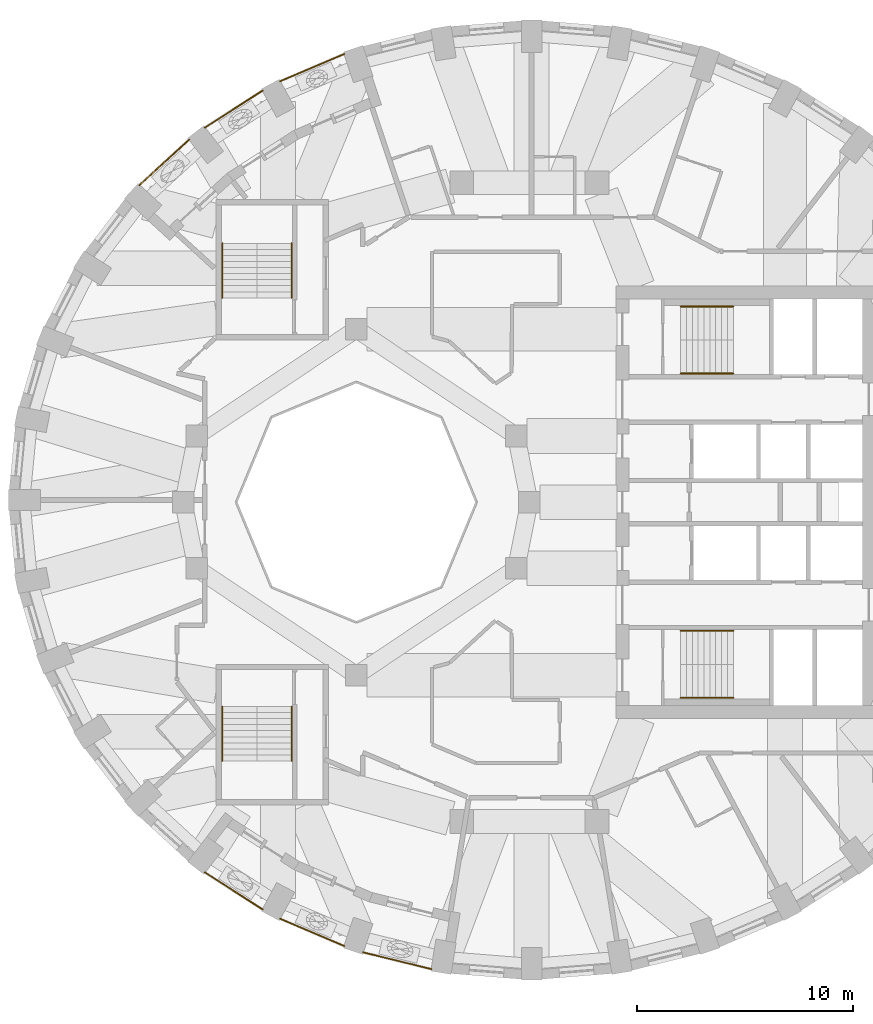
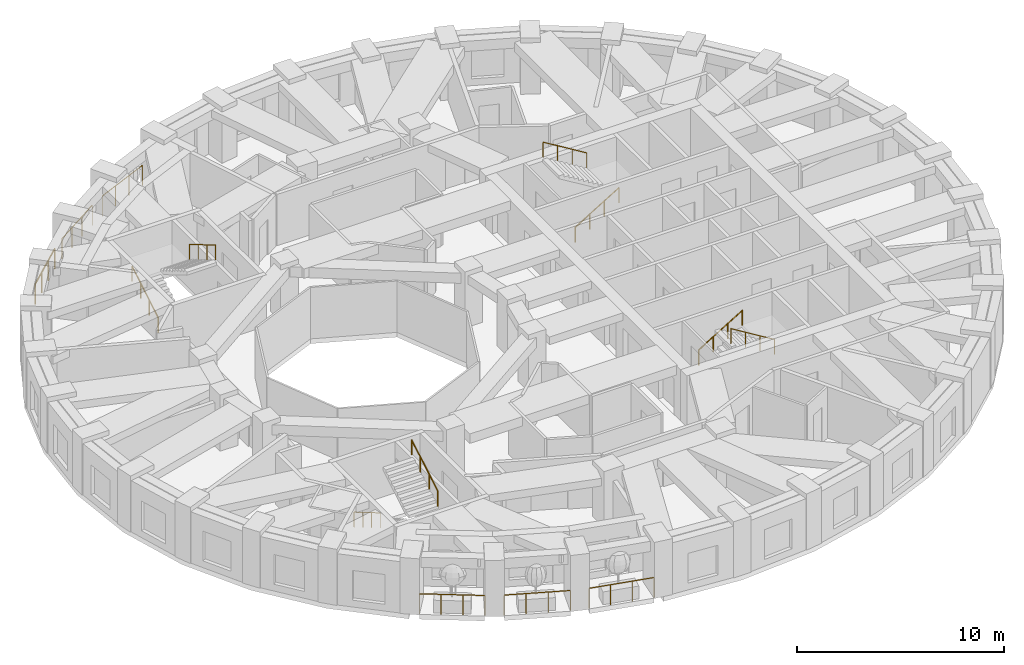
# One storey, part 10 of 12: 14 railings.
"""IFC4 building model written with IfcOpenShell, lengths in metres."""

from ifc_helpers import new_model, si_unit, direction, frame, origin, origin_2d, place, context, subcontext, project, spatial, circle, extrude, material, type_object, element, save


model = new_model("IFC4")

# Units and contexts
model_context = context("Model", 3, precision=1e-05, world=origin(), true_north=direction((0.0, 1.0)))
body_context = subcontext(model_context, "Body", "Model", "MODEL_VIEW")
ifc_project = project(units=[si_unit("LENGTHUNIT", "METRE"), si_unit("AREAUNIT", "SQUARE_METRE"), si_unit("VOLUMEUNIT", "CUBIC_METRE"), si_unit("PLANEANGLEUNIT", "RADIAN"), si_unit("MASSUNIT", "GRAM", prefix="KILO")], contexts=[model_context])

# Site, building, storey
site_placement = place(None, origin())
site = spatial("IfcSite", under=ifc_project, at=site_placement, CompositionType="ELEMENT")
building_placement = place(site_placement, origin())
building = spatial("IfcBuilding", under=site, at=building_placement, Name="Taillehof Tower", CompositionType="ELEMENT")
storey_placement = place(building_placement, frame((0.0, 0.0, 171.5)))
storey = spatial("IfcBuildingStorey", under=building, at=storey_placement, Name="L48", CompositionType="ELEMENT", Elevation=171.5)

# Railings
ifc_material_1 = material(Name="Stainless steel balustrade", Category="steel")
railing_type_1 = type_object("IfcRailingType", Name="Balcony guard 1200", PredefinedType="GUARDRAIL", material=ifc_material_1)
railing_1_placement = place(storey_placement, frame((-8.558837890625, 20.7314453125, 0.0)))
element("IfcRailing", 1, at=railing_1_placement, inside=storey, type_object=railing_type_1, Name="Balcony guard L48 bay 12", PredefinedType="GUARDRAIL", context=body_context, shape_type="SweptSolid", body=[
    extrude(circle(Radius=0.02392578125, at=origin_2d()), frame((0.0, 0.0, 1.17578125), z_axis=(-0.919824392668, -0.39233032849, 0.0), x_axis=(0.39233032849, -0.919824392668, 0.0)), (0.0, 0.0, 1.0), 3.227783203125),
    extrude(circle(Radius=0.02099609375, at=origin_2d()), origin(), (0.0, 0.0, 1.0), 1.15185546875),
    extrude(circle(Radius=0.02099609375, at=origin_2d()), frame((-0.98974609375, -0.422119140625, 0.0)), (0.0, 0.0, 1.0), 1.15185546875),
    extrude(circle(Radius=0.02099609375, at=origin_2d()), frame((-1.979248046875, -0.84423828125, 0.0)), (0.0, 0.0, 1.0), 1.15185546875),
    extrude(circle(Radius=0.02099609375, at=origin_2d()), frame((-2.968994140625, -1.266357421875, 0.0)), (0.0, 0.0, 1.0), 1.15185546875),
])
railing_2_placement = place(storey_placement, frame((-12.332275390625, 19.03955078125, 0.0)))
element("IfcRailing", 2, at=railing_2_placement, inside=storey, type_object=railing_type_1, Name="Balcony guard L48 bay 13", PredefinedType="GUARDRAIL", context=body_context, shape_type="SweptSolid", body=[
    extrude(circle(Radius=0.02392578125, at=origin_2d()), frame((0.0, 0.0, 1.17578125), z_axis=(-0.842070522293, -0.539367440141, 0.0), x_axis=(0.539367440141, -0.842070522293, 0.0)), (0.0, 0.0, 1.0), 3.179443359375),
    extrude(circle(Radius=0.02099609375, at=origin_2d()), origin(), (0.0, 0.0, 1.0), 1.15185546875),
    extrude(circle(Radius=0.02099609375, at=origin_2d()), frame((-0.892333984375, -0.571533203125, 0.0)), (0.0, 0.0, 1.0), 1.15185546875),
    extrude(circle(Radius=0.02099609375, at=origin_2d()), frame((-1.784912109375, -1.143310546875, 0.0)), (0.0, 0.0, 1.0), 1.15185546875),
    extrude(circle(Radius=0.02099609375, at=origin_2d()), frame((-2.67724609375, -1.71484375, 0.0)), (0.0, 0.0, 1.0), 1.15185546875),
])
railing_3_placement = place(storey_placement, frame((-15.731201171875, 16.77001953125, 0.0)))
element("IfcRailing", 3, at=railing_3_placement, inside=storey, type_object=railing_type_1, Name="Balcony guard L48 bay 14", PredefinedType="GUARDRAIL", context=body_context, shape_type="SweptSolid", body=[
    extrude(circle(Radius=0.02392578125, at=origin_2d()), frame((0.0, 0.0, 1.17578125), z_axis=(-0.737792988056, -0.675027041514, 0.0), x_axis=(0.675027041514, -0.737792988056, 0.0)), (0.0, 0.0, 1.0), 3.12353515625),
    extrude(circle(Radius=0.02099609375, at=origin_2d()), origin(), (0.0, 0.0, 1.0), 1.15185546875),
    extrude(circle(Radius=0.02099609375, at=origin_2d()), frame((-0.76806640625, -0.702880859375, 0.0)), (0.0, 0.0, 1.0), 1.15185546875),
    extrude(circle(Radius=0.02099609375, at=origin_2d()), frame((-1.536376953125, -1.405517578125, 0.0)), (0.0, 0.0, 1.0), 1.15185546875),
    extrude(circle(Radius=0.02099609375, at=origin_2d()), frame((-2.304443359375, -2.1083984375, 0.0)), (0.0, 0.0, 1.0), 1.15185546875),
])
railing_4_placement = place(storey_placement, frame((-15.009521484375, -17.12451171875, 0.0)))
element("IfcRailing", 4, at=railing_4_placement, inside=storey, type_object=railing_type_1, Name="Balcony guard L48 bay 24", PredefinedType="GUARDRAIL", context=body_context, shape_type="SweptSolid", body=[
    extrude(circle(Radius=0.02392578125, at=origin_2d()), frame((0.0, 0.0, 1.17578125), z_axis=(0.842035645436, -0.539421886667, 0.0), x_axis=(0.539421886667, 0.842035645436, 0.0)), (0.0, 0.0, 1.0), 3.179443359375),
    extrude(circle(Radius=0.02099609375, at=origin_2d()), origin(), (0.0, 0.0, 1.0), 1.15185546875),
    extrude(circle(Radius=0.02099609375, at=origin_2d()), frame((0.892333984375, -0.57177734375, 0.0)), (0.0, 0.0, 1.0), 1.15185546875),
    extrude(circle(Radius=0.02099609375, at=origin_2d()), frame((1.784912109375, -1.143310546875, 0.0)), (0.0, 0.0, 1.0), 1.15185546875),
    extrude(circle(Radius=0.02099609375, at=origin_2d()), frame((2.67724609375, -1.715087890625, 0.0)), (0.0, 0.0, 1.0), 1.15185546875),
])
railing_5_placement = place(storey_placement, frame((-11.52783203125, -19.264892578125, 0.0)))
element("IfcRailing", 5, at=railing_5_placement, inside=storey, type_object=railing_type_1, Name="Balcony guard L48 bay 25", PredefinedType="GUARDRAIL", context=body_context, shape_type="SweptSolid", body=[
    extrude(circle(Radius=0.02392578125, at=origin_2d()), frame((0.0, 0.0, 1.17578125), z_axis=(0.919797095665, -0.392394320558, 0.0), x_axis=(0.392394320558, 0.919797095665, 0.0)), (0.0, 0.0, 1.0), 3.227783203125),
    extrude(circle(Radius=0.02099609375, at=origin_2d()), origin(), (0.0, 0.0, 1.0), 1.15185546875),
    extrude(circle(Radius=0.02099609375, at=origin_2d()), frame((0.98974609375, -0.422119140625, 0.0)), (0.0, 0.0, 1.0), 1.15185546875),
    extrude(circle(Radius=0.02099609375, at=origin_2d()), frame((1.979248046875, -0.844482421875, 0.0)), (0.0, 0.0, 1.0), 1.15185546875),
    extrude(circle(Radius=0.02099609375, at=origin_2d()), frame((2.968994140625, -1.2666015625, 0.0)), (0.0, 0.0, 1.0), 1.15185546875),
])
railing_6_placement = place(storey_placement, frame((-7.6953125, -20.8193359375, 0.0)))
element("IfcRailing", 6, at=railing_6_placement, inside=storey, type_object=railing_type_1, Name="Balcony guard L48 bay 26", PredefinedType="GUARDRAIL", context=body_context, shape_type="SweptSolid", body=[
    extrude(circle(Radius=0.02392578125, at=origin_2d()), frame((0.0, 0.0, 1.17578125), z_axis=(0.971236963408, -0.238115016139, 0.0), x_axis=(0.238115016139, 0.971236963408, 0.0)), (0.0, 0.0, 1.0), 3.263427734375),
    extrude(circle(Radius=0.02099609375, at=origin_2d()), origin(), (0.0, 0.0, 1.0), 1.15185546875),
    extrude(circle(Radius=0.02099609375, at=origin_2d()), frame((1.056640625, -0.259033203125, 0.0)), (0.0, 0.0, 1.0), 1.15185546875),
    extrude(circle(Radius=0.02099609375, at=origin_2d()), frame((2.113037109375, -0.51806640625, 0.0)), (0.0, 0.0, 1.0), 1.15185546875),
    extrude(circle(Radius=0.02099609375, at=origin_2d()), frame((3.169677734375, -0.777099609375, 0.0)), (0.0, 0.0, 1.0), 1.15185546875),
])
ifc_material_2 = material(Name="Stainless steel", Category="steel")
railing_type_2 = type_object("IfcRailingType", Name="Stair handrail 900", PredefinedType="HANDRAIL", material=ifc_material_2)
railing_7_placement = place(storey_placement, frame((7.0, 5.949951171875, 0.1650390625)))
element("IfcRailing", 7, at=railing_7_placement, inside=storey, type_object=railing_type_2, Name="Stair S1 handrail", PredefinedType="HANDRAIL", context=body_context, shape_type="SweptSolid", body=[
    extrude(circle(Radius=0.02392578125, at=origin_2d()), frame((0.0, 0.0, 0.8759765625), z_axis=(0.853296667938, 0.0, 0.521425734392), x_axis=(0.0, 1.0, 0.0)), (0.0, 0.0, 1.0), 2.84765625),
    extrude(circle(Radius=0.02099609375, at=origin_2d()), origin(), (0.0, 0.0, 1.0), 0.851806640625),
    extrude(circle(Radius=0.02099609375, at=origin_2d()), frame((0.81005859375, 0.0, 0.494873046875)), (0.0, 0.0, 1.0), 0.851806640625),
    extrude(circle(Radius=0.02099609375, at=origin_2d()), frame((1.619873046875, 0.0, 0.989990234375)), (0.0, 0.0, 1.0), 0.851806640625),
    extrude(circle(Radius=0.02099609375, at=origin_2d()), frame((2.429931640625, 0.0, 1.48486328125)), (0.0, 0.0, 1.0), 0.851806640625),
])
railing_8_placement = place(storey_placement, frame((9.429931640625, 9.050048828125, 1.81494140625)))
element("IfcRailing", 8, at=railing_8_placement, inside=storey, type_object=railing_type_2, Name="Stair S1 handrail", PredefinedType="HANDRAIL", context=body_context, shape_type="SweptSolid", body=[
    extrude(circle(Radius=0.02392578125, at=origin_2d()), frame((0.0, 0.0, 0.8759765625), z_axis=(-0.853258522278, 0.0, 0.521488153423), x_axis=(0.0, -1.0, 0.0)), (0.0, 0.0, 1.0), 2.847900390625),
    extrude(circle(Radius=0.02099609375, at=origin_2d()), origin(), (0.0, 0.0, 1.0), 0.851806640625),
    extrude(circle(Radius=0.02099609375, at=origin_2d()), frame((-0.81005859375, 0.0, 0.4951171875)), (0.0, 0.0, 1.0), 0.851806640625),
    extrude(circle(Radius=0.02099609375, at=origin_2d()), frame((-1.619873046875, 0.0, 0.989990234375)), (0.0, 0.0, 1.0), 0.851806640625),
    extrude(circle(Radius=0.02099609375, at=origin_2d()), frame((-2.429931640625, 0.0, 1.485107421875)), (0.0, 0.0, 1.0), 0.851806640625),
])
railing_9_placement = place(storey_placement, frame((7.0, -5.949951171875, 0.1650390625)))
element("IfcRailing", 9, at=railing_9_placement, inside=storey, type_object=railing_type_2, Name="Stair S2 handrail", PredefinedType="HANDRAIL", context=body_context, shape_type="SweptSolid", body=[
    extrude(circle(Radius=0.02392578125, at=origin_2d()), frame((0.0, 0.0, 0.8759765625), z_axis=(0.853296667938, 0.0, 0.521425734392), x_axis=(0.0, 1.0, 0.0)), (0.0, 0.0, 1.0), 2.84765625),
    extrude(circle(Radius=0.02099609375, at=origin_2d()), origin(), (0.0, 0.0, 1.0), 0.851806640625),
    extrude(circle(Radius=0.02099609375, at=origin_2d()), frame((0.81005859375, 0.0, 0.494873046875)), (0.0, 0.0, 1.0), 0.851806640625),
    extrude(circle(Radius=0.02099609375, at=origin_2d()), frame((1.619873046875, 0.0, 0.989990234375)), (0.0, 0.0, 1.0), 0.851806640625),
    extrude(circle(Radius=0.02099609375, at=origin_2d()), frame((2.429931640625, 0.0, 1.48486328125)), (0.0, 0.0, 1.0), 0.851806640625),
])
railing_10_placement = place(storey_placement, frame((9.429931640625, -9.050048828125, 1.81494140625)))
element("IfcRailing", 10, at=railing_10_placement, inside=storey, type_object=railing_type_2, Name="Stair S2 handrail", PredefinedType="HANDRAIL", context=body_context, shape_type="SweptSolid", body=[
    extrude(circle(Radius=0.02392578125, at=origin_2d()), frame((0.0, 0.0, 0.8759765625), z_axis=(-0.853258522278, 0.0, 0.521488153423), x_axis=(0.0, -1.0, 0.0)), (0.0, 0.0, 1.0), 2.847900390625),
    extrude(circle(Radius=0.02099609375, at=origin_2d()), origin(), (0.0, 0.0, 1.0), 0.851806640625),
    extrude(circle(Radius=0.02099609375, at=origin_2d()), frame((-0.81005859375, 0.0, 0.4951171875)), (0.0, 0.0, 1.0), 0.851806640625),
    extrude(circle(Radius=0.02099609375, at=origin_2d()), frame((-1.619873046875, 0.0, 0.989990234375)), (0.0, 0.0, 1.0), 0.851806640625),
    extrude(circle(Radius=0.02099609375, at=origin_2d()), frame((-2.429931640625, 0.0, 1.485107421875)), (0.0, 0.0, 1.0), 0.851806640625),
])
railing_11_placement = place(storey_placement, frame((-14.199951171875, 9.449951171875, 0.1650390625)))
element("IfcRailing", 11, at=railing_11_placement, inside=storey, type_object=railing_type_2, Name="Stair S3 handrail", PredefinedType="HANDRAIL", context=body_context, shape_type="SweptSolid", body=[
    extrude(circle(Radius=0.02392578125, at=origin_2d()), frame((0.0, 0.0, 0.8759765625), z_axis=(0.0, 0.861560626758, 0.507654692109), x_axis=(-1.0, 0.0, 0.0)), (0.0, 0.0, 1.0), 2.925048828125),
    extrude(circle(Radius=0.02099609375, at=origin_2d()), origin(), (0.0, 0.0, 1.0), 0.851806640625),
    extrude(circle(Radius=0.02099609375, at=origin_2d()), frame((0.0, 0.840087890625, 0.494873046875)), (0.0, 0.0, 1.0), 0.851806640625),
    extrude(circle(Radius=0.02099609375, at=origin_2d()), frame((0.0, 1.679931640625, 0.989990234375)), (0.0, 0.0, 1.0), 0.851806640625),
    extrude(circle(Radius=0.02099609375, at=origin_2d()), frame((0.0, 2.52001953125, 1.48486328125)), (0.0, 0.0, 1.0), 0.851806640625),
])
railing_12_placement = place(storey_placement, frame((-11.0, 11.969970703125, 1.81494140625)))
element("IfcRailing", 12, at=railing_12_placement, inside=storey, type_object=railing_type_2, Name="Stair S3 handrail", PredefinedType="HANDRAIL", context=body_context, shape_type="SweptSolid", body=[
    extrude(circle(Radius=0.02392578125, at=origin_2d()), frame((0.0, 0.0, 0.8759765625), z_axis=(0.0, -0.86152411907, 0.507716645641), x_axis=(1.0, 0.0, 0.0)), (0.0, 0.0, 1.0), 2.925048828125),
    extrude(circle(Radius=0.02099609375, at=origin_2d()), origin(), (0.0, 0.0, 1.0), 0.851806640625),
    extrude(circle(Radius=0.02099609375, at=origin_2d()), frame((0.0, -0.840087890625, 0.4951171875)), (0.0, 0.0, 1.0), 0.851806640625),
    extrude(circle(Radius=0.02099609375, at=origin_2d()), frame((0.0, -1.679931640625, 0.989990234375)), (0.0, 0.0, 1.0), 0.851806640625),
    extrude(circle(Radius=0.02099609375, at=origin_2d()), frame((0.0, -2.52001953125, 1.485107421875)), (0.0, 0.0, 1.0), 0.851806640625),
])
railing_13_placement = place(storey_placement, frame((-14.199951171875, -9.449951171875, 0.1650390625)))
element("IfcRailing", 13, at=railing_13_placement, inside=storey, type_object=railing_type_2, Name="Stair S4 handrail", PredefinedType="HANDRAIL", context=body_context, shape_type="SweptSolid", body=[
    extrude(circle(Radius=0.02392578125, at=origin_2d()), frame((0.0, 0.0, 0.8759765625), z_axis=(0.0, -0.861560626758, 0.507654692109), x_axis=(1.0, 0.0, 0.0)), (0.0, 0.0, 1.0), 2.925048828125),
    extrude(circle(Radius=0.02099609375, at=origin_2d()), origin(), (0.0, 0.0, 1.0), 0.851806640625),
    extrude(circle(Radius=0.02099609375, at=origin_2d()), frame((0.0, -0.840087890625, 0.494873046875)), (0.0, 0.0, 1.0), 0.851806640625),
    extrude(circle(Radius=0.02099609375, at=origin_2d()), frame((0.0, -1.679931640625, 0.989990234375)), (0.0, 0.0, 1.0), 0.851806640625),
    extrude(circle(Radius=0.02099609375, at=origin_2d()), frame((0.0, -2.52001953125, 1.48486328125)), (0.0, 0.0, 1.0), 0.851806640625),
])
railing_14_placement = place(storey_placement, frame((-11.0, -11.969970703125, 1.81494140625)))
element("IfcRailing", 14, at=railing_14_placement, inside=storey, type_object=railing_type_2, Name="Stair S4 handrail", PredefinedType="HANDRAIL", context=body_context, shape_type="SweptSolid", body=[
    extrude(circle(Radius=0.02392578125, at=origin_2d()), frame((0.0, 0.0, 0.8759765625), z_axis=(0.0, 0.86152411907, 0.507716645641), x_axis=(-1.0, 0.0, 0.0)), (0.0, 0.0, 1.0), 2.925048828125),
    extrude(circle(Radius=0.02099609375, at=origin_2d()), origin(), (0.0, 0.0, 1.0), 0.851806640625),
    extrude(circle(Radius=0.02099609375, at=origin_2d()), frame((0.0, 0.840087890625, 0.4951171875)), (0.0, 0.0, 1.0), 0.851806640625),
    extrude(circle(Radius=0.02099609375, at=origin_2d()), frame((0.0, 1.679931640625, 0.989990234375)), (0.0, 0.0, 1.0), 0.851806640625),
    extrude(circle(Radius=0.02099609375, at=origin_2d()), frame((0.0, 2.52001953125, 1.485107421875)), (0.0, 0.0, 1.0), 0.851806640625),
])

save(model, "model.ifc")
